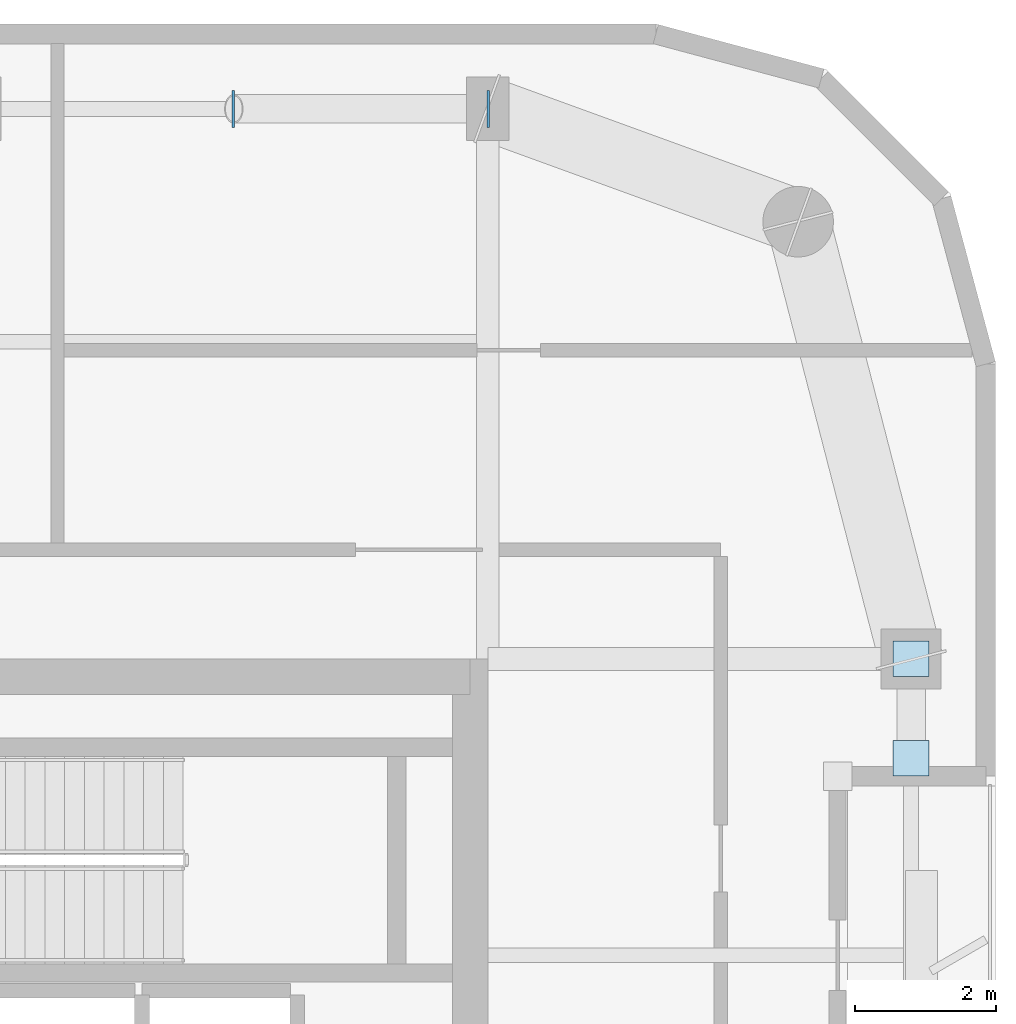
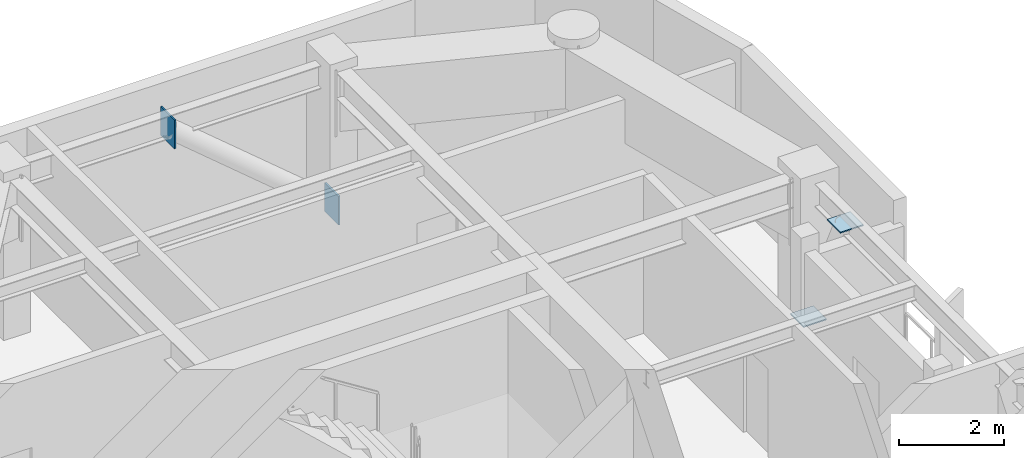
# One storey, part 9 of 16: 4 plates.
"""IFC4 building model written with IfcOpenShell, lengths in metres."""

from ifc_helpers import new_model, si_unit, direction, frame, origin, origin_2d, place, context, subcontext, project, spatial, rectangle, extrude, material, layer, layer_set, type_object, element, save


model = new_model("IFC4")

# Units and contexts
model_context = context("Model", 3, precision=1e-05, world=origin(), true_north=direction((0.0, 1.0)))
body_context = subcontext(model_context, "Body", "Model", "MODEL_VIEW")
ifc_project = project(units=[si_unit("LENGTHUNIT", "METRE"), si_unit("AREAUNIT", "SQUARE_METRE"), si_unit("VOLUMEUNIT", "CUBIC_METRE"), si_unit("PLANEANGLEUNIT", "RADIAN"), si_unit("MASSUNIT", "GRAM", prefix="KILO")], contexts=[model_context])

# Site, building, storey
site_placement = place(None, origin())
site = spatial("IfcSite", under=ifc_project, at=site_placement, CompositionType="ELEMENT")
building_placement = place(site_placement, origin())
building = spatial("IfcBuilding", under=site, at=building_placement, Name="Kiyonajd Concourse Tower", CompositionType="ELEMENT")
storey_placement = place(building_placement, frame((0.0, 0.0, 325.800048828125)))
storey = spatial("IfcBuildingStorey", under=building, at=storey_placement, Name="L82", CompositionType="ELEMENT", Elevation=325.800048828125)

# Plates
ifc_material = material(Name="Steel ASTM A572 Grade 50", Category="steel")
ifc_layer = layer(ifc_material, 0.028076171875)
ifc_layer_set = layer_set([ifc_layer], Name="Steel ASTM A572 Grade 50")
plate_type = type_object("IfcPlateType", Name="PL-CAP-450", PredefinedType="USERDEFINED", material=ifc_layer_set)
for number, where, z_axis, x_axis, name in (
    (1, (63.6083984375, 52.199951171875, -0.04248046875), (0.0, 0.0, 1.0), (1.0, 0.0, 0.0), "L82 Hollow Brace End Cap Plate PBN"),
    (2, (59.99169921875, 52.199951171875, 3.001708984375), (0.0, 0.0, 1.0), (-1.0, 0.0, 0.0), "L82 Hollow Brace Top Cap Plate PBN"),
):
    element("IfcPlate", number, at=place(storey_placement, frame(where, z_axis=z_axis, x_axis=x_axis)), inside=storey, type_object=plate_type, Name=name, ObjectType="CAP PLATE", PredefinedType="USERDEFINED", context=body_context, shape_type="SweptSolid", body=[
        extrude(rectangle(XDim=0.035888671875, YDim=0.52587890625, at=origin_2d()), origin(), (0.0, 0.0, 1.0), 0.6708984375),
    ])
for number, where, z_axis, x_axis, name in (
    (3, (69.60009765625, 44.404541015625, 0.27587890625), (0.0, 0.0, 1.0), (1.0, 0.0, 0.0), "L82 Hollow Brace End Cap Plate PBE"),
    (4, (69.60009765625, 42.995361328125, 3.32568359375), (0.0, 0.0, 1.0), (1.0, 0.0, 0.0), "L82 Hollow Brace Top Cap Plate PBE"),
):
    element("IfcPlate", number, at=place(storey_placement, frame(where, z_axis=z_axis, x_axis=x_axis)), inside=storey, type_object=plate_type, Name=name, ObjectType="CAP PLATE", PredefinedType="USERDEFINED", context=body_context, shape_type="SweptSolid", body=[
        extrude(rectangle(XDim=0.506103515625, YDim=0.506103515625, at=origin_2d()), origin(), (0.0, 0.0, 1.0), 0.028076171875),
    ])

save(model, "model.ifc")
